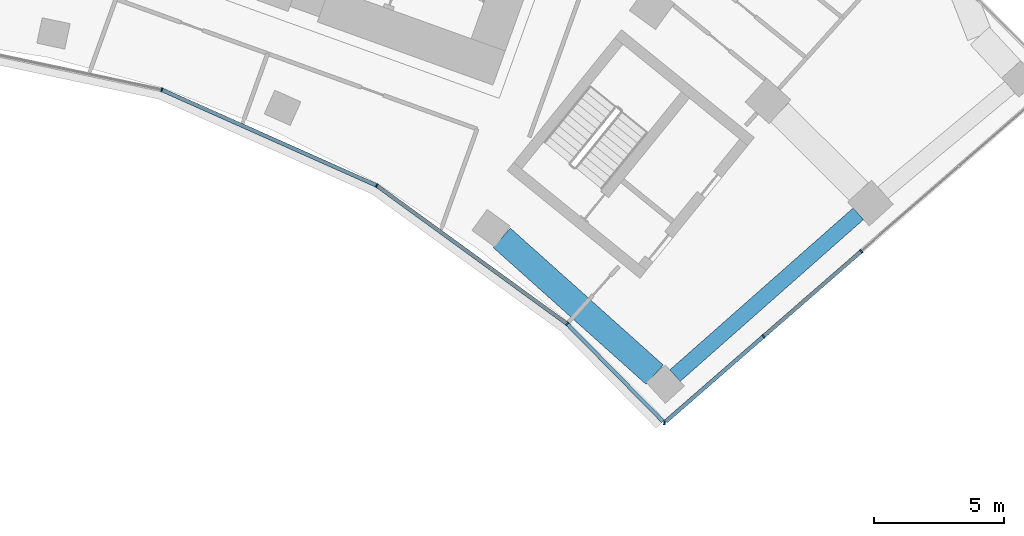
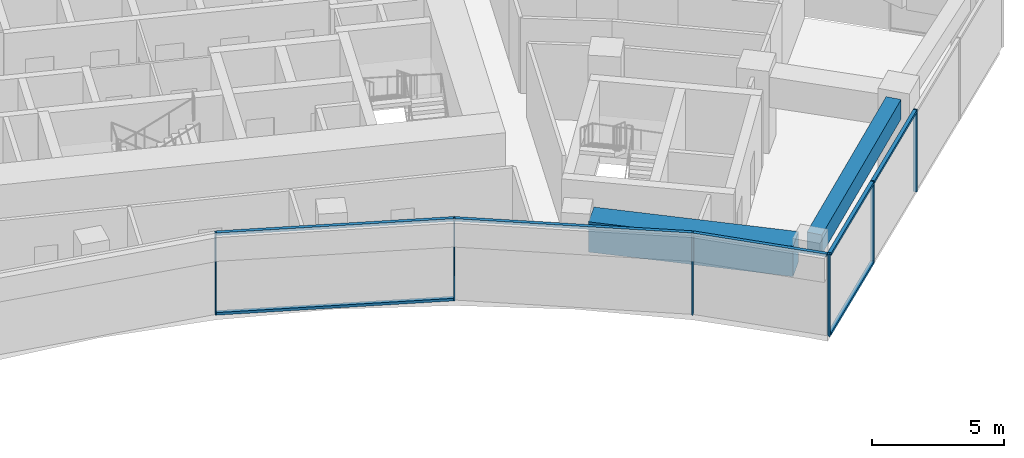
# One storey, part 9 of 23: 13 members, 2 beams, 2 elements without a shape of their own.
"""IFC4 building model written with IfcOpenShell, lengths in metres."""

import ifcopenshell
import ifcopenshell.guid

model = None  # the IFC model being written
_history = None  # IfcOwnerHistory: only IFC2X3 demands one
_inside = {}  # id of a spatial element -> (the spatial element, [elements in it])
_under = {}  # id of a project, library or spatial element -> (it, [spatial elements below it])
_declared = {}  # id of a project -> (the project, [libraries it declares])
_typed = {}  # id of a type object -> (the type object, [elements of that type])
_made_of = {}  # id of a material, layer set ... -> (it, [elements and type objects made of it])


def new_model(schema):
    """Start an empty IFC model of exactly this schema.

    Asked for "IFC4X3", IfcOpenShell would pick the latest addendum, in which some entities
    have other attributes; the version numbers below select the first issue.
    IFC2X3 requires an IfcOwnerHistory on every rooted entity: one is made here for all.
    """
    global model, _history
    if schema == "IFC4X3":
        model = ifcopenshell.file(schema_version=(4, 3, 0, 0))
    else:
        model = ifcopenshell.file(schema=schema)
    _inside.clear()
    _under.clear()
    _declared.clear()
    _typed.clear()
    _made_of.clear()
    _history = None
    if model.schema == "IFC2X3":
        org = make("IfcOrganization", Name="unknown")
        user = make(
            "IfcPersonAndOrganization",
            ThePerson=make("IfcPerson", FamilyName="unknown"),
            TheOrganization=org,
        )
        app = make(
            "IfcApplication",
            ApplicationDeveloper=org,
            Version="unknown",
            ApplicationFullName="unknown",
            ApplicationIdentifier="unknown",
        )
        _history = make(
            "IfcOwnerHistory",
            OwningUser=user,
            OwningApplication=app,
            ChangeAction="ADDED",
            CreationDate=0,
        )
    return model


def make(cls, **values):
    """One entity of the class cls with the attributes given. An attribute that is None is left unset."""
    return model.create_entity(
        cls, **{name: value for name, value in values.items() if value is not None}
    )


def rooted(cls, **values):
    """An entity with a GlobalId (a new one), such as an element, a storey or a relation."""
    return make(cls, GlobalId=ifcopenshell.guid.new(), OwnerHistory=_history, **values)


def si_unit(unit_type, name, prefix=None):
    """IfcSIUnit, for example si_unit("LENGTHUNIT", "METRE", prefix="MILLI")."""
    return make("IfcSIUnit", UnitType=unit_type, Prefix=prefix, Name=name)


def assignment(units):
    """IfcUnitAssignment: the units of a project."""
    return None if units is None else make("IfcUnitAssignment", Units=units)


def point(xyz):
    """IfcCartesianPoint."""
    return None if xyz is None else make("IfcCartesianPoint", Coordinates=xyz)


def direction(xyz):
    """IfcDirection."""
    return None if xyz is None else make("IfcDirection", DirectionRatios=xyz)


def frame(location, z_axis=None, x_axis=None):
    """IfcAxis2Placement3D, a coordinate frame: its origin and axes. An axis left out is left unset."""
    return make(
        "IfcAxis2Placement3D",
        Location=point(location),
        Axis=direction(z_axis),
        RefDirection=direction(x_axis),
    )


def frame_2d(location, x_axis=None):
    """IfcAxis2Placement2D, a coordinate frame in the plane: its origin and x axis."""
    return make(
        "IfcAxis2Placement2D", Location=point(location), RefDirection=direction(x_axis)
    )


def origin():
    """The frame at (0, 0, 0) with its axes left unset."""
    return frame((0.0, 0.0, 0.0))


def origin_2d():
    """The frame at (0, 0) in the plane with its x axis left unset."""
    return frame_2d((0.0, 0.0))


def place(relative_to, where):
    """IfcLocalPlacement: puts the frame where relative to a parent placement (None: the world)."""
    return make(
        "IfcLocalPlacement", PlacementRelTo=relative_to, RelativePlacement=where
    )


def context(
    kind, dimensions, precision=None, world=None, true_north=None, identifier=None
):
    """IfcGeometricRepresentationContext, for example the 3D "Model" context."""
    return make(
        "IfcGeometricRepresentationContext",
        ContextIdentifier=identifier,
        ContextType=kind,
        CoordinateSpaceDimension=dimensions,
        Precision=precision,
        WorldCoordinateSystem=world,
        TrueNorth=true_north,
    )


def subcontext(parent, identifier, kind, view, scale=None):
    """IfcGeometricRepresentationSubContext, for example "Body" below "Model"."""
    return make(
        "IfcGeometricRepresentationSubContext",
        ContextIdentifier=identifier,
        ContextType=kind,
        ParentContext=parent,
        TargetScale=scale,
        TargetView=view,
    )


def project(units=None, contexts=None):
    """IfcProject with its units and contexts."""
    return rooted(
        "IfcProject",
        Name="project",
        RepresentationContexts=contexts,
        UnitsInContext=assignment(units),
    )


def spatial(cls, under=None, at=None, **own):
    """A site, building, storey or space (cls), placed at a placement, below another one or the project."""
    s = rooted(cls, ObjectPlacement=at, **own)
    if under is not None:
        _under.setdefault(under.id(), (under, []))[1].append(s)
    return s


def profile(cls, at=None, kind="AREA", **sizes):
    """A parametric profile (cls). Its sizes go by their IFC names, for example OverallWidth=200.0."""
    return make(cls, ProfileType=kind, Position=at, **sizes)


def rectangle(**sizes):
    """IfcRectangleProfileDef."""
    return profile("IfcRectangleProfileDef", **sizes)


def extrude(swept, where, along, depth):
    """IfcExtrudedAreaSolid: the profile swept, set in the frame where, extruded along a direction by depth."""
    return make(
        "IfcExtrudedAreaSolid",
        SweptArea=swept,
        Position=where,
        ExtrudedDirection=direction(along),
        Depth=depth,
    )


def shape(context_of_items, identifier, shape_type, items):
    """IfcShapeRepresentation: the items that make up one representation, for example the "Body"."""
    return make(
        "IfcShapeRepresentation",
        ContextOfItems=context_of_items,
        RepresentationIdentifier=identifier,
        RepresentationType=shape_type,
        Items=items,
    )


def material(Name=None, Category=None):
    """IfcMaterial."""
    return make("IfcMaterial", Name=Name, Category=Category)


def layer(
    of_material, thickness, ventilated=None, Name=None, Category=None, Priority=None
):
    """IfcMaterialLayer: one layer of a wall or slab, of a material (None: an air gap)."""
    return make(
        "IfcMaterialLayer",
        Material=of_material,
        LayerThickness=thickness,
        IsVentilated=ventilated,
        Name=Name,
        Category=Category,
        Priority=Priority,
    )


def layer_set(layers, Name=None):
    """IfcMaterialLayerSet."""
    return make("IfcMaterialLayerSet", MaterialLayers=layers, LayerSetName=Name)


def material_profile(
    of_material, cross_section, Name=None, Category=None, Priority=None
):
    """IfcMaterialProfile: a cross section and its material."""
    return make(
        "IfcMaterialProfile",
        Name=Name,
        Material=of_material,
        Profile=cross_section,
        Priority=Priority,
        Category=Category,
    )


def profile_set(profiles, Name=None, composite=None):
    """IfcMaterialProfileSet."""
    return make(
        "IfcMaterialProfileSet",
        Name=Name,
        MaterialProfiles=profiles,
        CompositeProfile=composite,
    )


def made_of(thing, what):
    """Note that an element or type object is made of a material, layer set ...; save() writes the relation."""
    if what is not None:
        _made_of.setdefault(what.id(), (what, []))[1].append(thing)
    return thing


def type_object(cls, material=None, **own):
    """A type object (cls), such as IfcWallType, which elements share."""
    return made_of(rooted(cls, **own), material)


def element(
    cls,
    number,
    at=None,
    inside=None,
    cuts=None,
    type_object=None,
    material=None,
    context=None,
    identifier="Body",
    shape_type=None,
    held_by="IfcProductDefinitionShape",
    body=None,
    shapes=None,
    **own,
):
    """One element of the class cls, such as IfcWall. Its Tag is "e" and its number.

    at: its placement. inside: the storey or other place that contains it. cuts: it is an
    opening in that element (IfcRelVoidsElement). A single representation is given by context,
    identifier, shape_type and body (its items); several are given by shapes. held_by: the class
    of the entity that holds the representations. save() writes the other relations.
    """
    e = rooted(cls, Tag="e%d" % number, ObjectPlacement=at, **own)
    if body is not None:
        shapes = [shape(context, identifier, shape_type, body)]
    if shapes is not None:
        e.Representation = make(held_by, Representations=shapes)
    if inside is not None:
        _inside.setdefault(inside.id(), (inside, []))[1].append(e)
    if cuts is not None:
        rooted(
            "IfcRelVoidsElement", RelatingBuildingElement=cuts, RelatedOpeningElement=e
        )
    if type_object is not None:
        _typed.setdefault(type_object.id(), (type_object, []))[1].append(e)
    return made_of(e, material)


def aggregate(whole, parts):
    """IfcRelAggregates: a whole, such as a stair, and the parts it consists of."""
    return rooted("IfcRelAggregates", RelatingObject=whole, RelatedObjects=parts)


def save(model, path):
    """Write the relations noted so far, then the file.

    IfcRelAggregates (storeys below a building ...), IfcRelContainedInSpatialStructure (elements
    in a storey), IfcRelDefinesByType, IfcRelAssociatesMaterial and IfcRelDeclares: one each for
    every whole, place, type object, material and project.
    """
    for whole, parts in _under.values():
        aggregate(whole, parts)
    for where, things in _inside.values():
        rooted(
            "IfcRelContainedInSpatialStructure",
            RelatedElements=things,
            RelatingStructure=where,
        )
    for kind, things in _typed.values():
        rooted("IfcRelDefinesByType", RelatedObjects=things, RelatingType=kind)
    for what, things in _made_of.values():
        rooted("IfcRelAssociatesMaterial", RelatedObjects=things, RelatingMaterial=what)
    for by, libraries in _declared.values():
        rooted("IfcRelDeclares", RelatingContext=by, RelatedDefinitions=libraries)
    model.write(path)


model = new_model("IFC4")

# Units and contexts
model_context = context("Model", 3, precision=1e-05, world=origin(), true_north=direction((0.0, 1.0)))
body_context = subcontext(model_context, "Body", "Model", "MODEL_VIEW")
ifc_project = project(units=[si_unit("LENGTHUNIT", "METRE"), si_unit("AREAUNIT", "SQUARE_METRE"), si_unit("VOLUMEUNIT", "CUBIC_METRE"), si_unit("PLANEANGLEUNIT", "RADIAN"), si_unit("MASSUNIT", "GRAM", prefix="KILO")], contexts=[model_context])

# Site, building, storey
site_placement = place(None, origin())
site = spatial("IfcSite", under=ifc_project, at=site_placement, CompositionType="ELEMENT")
building_placement = place(site_placement, origin())
building = spatial("IfcBuilding", under=site, at=building_placement, Name="Stone Belt Terrace Tower", CompositionType="ELEMENT")
storey_placement = place(building_placement, frame((0.0, 0.0, 178.199951171875)))
storey = spatial("IfcBuildingStorey", under=building, at=storey_placement, Name="L43", CompositionType="ELEMENT", Elevation=178.199951171875)

# Curtain wall, members
ifc_material_1 = material(Name="Aluminium 6063-T6 anodised frame", Category="aluminium")
ifc_layer_1 = layer(ifc_material_1, 0.14990234375)
ifc_layer_set_1 = layer_set([ifc_layer_1], Name="CW-B unitised concave-face curtain wall")
curtain_wall_type_1 = type_object("IfcCurtainWallType", Name="CW-B unitised concave-face curtain wall", PredefinedType="NOTDEFINED", material=ifc_layer_set_1)
curtain_wall_1_placement = place(storey_placement, origin())
curtain_wall_1 = element("IfcCurtainWall", 1, at=curtain_wall_1_placement, inside=storey, type_object=curtain_wall_type_1, Name="CW-B concave face L43", PredefinedType="NOTDEFINED")
ifc_material_profile_1 = material_profile(ifc_material_1, rectangle(XDim=0.14990234375, YDim=0.050048828125, at=origin_2d()), Name="Aluminium 6063-T6 50x150")
ifc_profile_set_1 = profile_set([ifc_material_profile_1], Name="Aluminium 6063-T6 anodised frame")
member_type_1 = type_object("IfcMemberType", Name="CW-B mullion 50 x 150", PredefinedType="MULLION", material=ifc_profile_set_1)
member_1_placement = place(storey_placement, frame((13.4189453125, 41.29931640625, 0.0), z_axis=(0.0, 0.0, 1.0), x_axis=(0.309016994375, 0.951056516295, 0.0)))
member_1 = element("IfcMember", 2, at=member_1_placement, type_object=member_type_1, Name="CW-B mullion 7", PredefinedType="MULLION", context=body_context, shape_type="SweptSolid", body=[
    extrude(rectangle(XDim=0.14990234375, YDim=0.050048828125, at=origin_2d()), origin(), (0.0, 0.0, 1.0), 3.800048828125),
])
member_2_placement = place(storey_placement, frame((21.71240234375, 37.606689453125, 0.0), z_axis=(0.0, 0.0, 1.0), x_axis=(0.5, 0.866025403784, 0.0)))
member_2 = element("IfcMember", 3, at=member_2_placement, type_object=member_type_1, Name="CW-B mullion 8", PredefinedType="MULLION", context=body_context, shape_type="SweptSolid", body=[
    extrude(rectangle(XDim=0.14990234375, YDim=0.050048828125, at=origin_2d()), origin(), (0.0, 0.0, 1.0), 3.800048828125),
])
member_3_placement = place(storey_placement, frame((29.05810546875, 32.269775390625, 0.0), z_axis=(0.0, 0.0, 1.0), x_axis=(0.652633631779, 0.757673638627, 0.0)))
member_3 = element("IfcMember", 4, at=member_3_placement, type_object=member_type_1, Name="CW-B mullion 9", PredefinedType="MULLION", context=body_context, shape_type="SweptSolid", body=[
    extrude(rectangle(XDim=0.14990234375, YDim=0.050048828125, at=origin_2d()), origin(), (0.0, 0.0, 1.0), 3.800048828125),
])
ifc_material_profile_2 = material_profile(ifc_material_1, rectangle(XDim=0.14990234375, YDim=0.1201171875, at=origin_2d()), Name="Aluminium 6063-T6 150x120")
ifc_profile_set_2 = profile_set([ifc_material_profile_2], Name="Aluminium 6063-T6 anodised frame")
member_type_2 = type_object("IfcMemberType", Name="CW-B transom 120 x 150", PredefinedType="USERDEFINED", material=ifc_profile_set_2)
member_4_placement = place(storey_placement, frame((13.44873046875, 41.285888671875, 0.06005859375), z_axis=(0.913548853737, -0.406729015237, 0.0), x_axis=(0.406729015237, 0.913548853737, 0.0)))
member_4 = element("IfcMember", 5, at=member_4_placement, type_object=member_type_2, Name="CW-B transom 7.1", ObjectType="TRANSOM", PredefinedType="USERDEFINED", context=body_context, shape_type="SweptSolid", body=[
    extrude(rectangle(XDim=0.14990234375, YDim=0.1201171875, at=origin_2d()), origin(), (0.0, 0.0, 1.0), 9.0126953125),
])
member_5_placement = place(storey_placement, frame((13.44873046875, 41.285888671875, 3.739990234375), z_axis=(0.913548853737, -0.406729015237, 0.0), x_axis=(0.406729015237, 0.913548853737, 0.0)))
member_5 = element("IfcMember", 6, at=member_5_placement, type_object=member_type_2, Name="CW-B transom 7.2", ObjectType="TRANSOM", PredefinedType="USERDEFINED", context=body_context, shape_type="SweptSolid", body=[
    extrude(rectangle(XDim=0.14990234375, YDim=0.1201171875, at=origin_2d()), origin(), (0.0, 0.0, 1.0), 9.0126953125),
])
member_6_placement = place(storey_placement, frame((21.73876953125, 37.587646484375, 3.739990234375), z_axis=(0.809015849775, -0.587786827696, 0.0), x_axis=(0.587786827696, 0.809015849775, 0.0)))
member_6 = element("IfcMember", 7, at=member_6_placement, type_object=member_type_2, Name="CW-B transom 8.1", ObjectType="TRANSOM", PredefinedType="USERDEFINED", context=body_context, shape_type="SweptSolid", body=[
    extrude(rectangle(XDim=0.14990234375, YDim=0.1201171875, at=origin_2d()), origin(), (0.0, 0.0, 1.0), 9.01611328125),
])
member_7_placement = place(storey_placement, frame((29.079833984375, 32.24755859375, 3.739990234375), z_axis=(0.701148232863, -0.713015536685, 0.0), x_axis=(0.713015536685, 0.701148232863, 0.0)))
member_7 = element("IfcMember", 8, at=member_7_placement, type_object=member_type_2, Name="CW-B transom 9.1", ObjectType="TRANSOM", PredefinedType="USERDEFINED", context=body_context, shape_type="SweptSolid", body=[
    extrude(rectangle(XDim=0.14990234375, YDim=0.1201171875, at=origin_2d()), origin(), (0.0, 0.0, 1.0), 5.24609375),
])
aggregate(curtain_wall_1, [member_1, member_2, member_3, member_4, member_5, member_6, member_7])

ifc_layer_2 = layer(ifc_material_1, 0.14990234375)
ifc_layer_set_2 = layer_set([ifc_layer_2], Name="CW-C stick curtain wall, horn ends and notches")
curtain_wall_type_2 = type_object("IfcCurtainWallType", Name="CW-C stick curtain wall, horn ends and notches", PredefinedType="NOTDEFINED", material=ifc_layer_set_2)
curtain_wall_2_placement = place(storey_placement, origin())
curtain_wall_2 = element("IfcCurtainWall", 9, at=curtain_wall_2_placement, inside=storey, type_object=curtain_wall_type_2, Name="CW-C end face L43", PredefinedType="NOTDEFINED")
ifc_material_profile_3 = material_profile(ifc_material_1, rectangle(XDim=0.14990234375, YDim=0.06005859375, at=origin_2d()), Name="Aluminium 6063-T6 60x150")
ifc_profile_set_3 = profile_set([ifc_material_profile_3], Name="Aluminium 6063-T6 anodised frame")
member_type_3 = type_object("IfcMemberType", Name="CW-C mullion 60 x 150", PredefinedType="MULLION", material=ifc_profile_set_3)
member_8_placement = place(storey_placement, frame((32.806884765625, 28.45751953125, 0.0), z_axis=(0.0, 0.0, 1.0), x_axis=(0.038760786717, 0.999248518344, 0.0)))
member_8 = element("IfcMember", 10, at=member_8_placement, type_object=member_type_3, Name="CW-C mullion 1", PredefinedType="MULLION", context=body_context, shape_type="SweptSolid", body=[
    extrude(rectangle(XDim=0.14990234375, YDim=0.06005859375, at=origin_2d()), origin(), (0.0, 0.0, 1.0), 3.800048828125),
])
member_9_placement = place(storey_placement, frame((36.63134765625, 31.78662109375, 0.0), z_axis=(0.0, 0.0, 1.0), x_axis=(-0.65656142871, 0.754272557058, 0.0)))
member_9 = element("IfcMember", 11, at=member_9_placement, type_object=member_type_3, Name="CW-C mullion 2", PredefinedType="MULLION", context=body_context, shape_type="SweptSolid", body=[
    extrude(rectangle(XDim=0.14990234375, YDim=0.06005859375, at=origin_2d()), origin(), (0.0, 0.0, 1.0), 3.800048828125),
])
member_10_placement = place(storey_placement, frame((40.40283203125, 35.069580078125, 0.0), z_axis=(0.0, 0.0, 1.0), x_axis=(-0.65656142871, 0.754272557058, 0.0)))
member_10 = element("IfcMember", 12, at=member_10_placement, type_object=member_type_3, Name="CW-C mullion 3", PredefinedType="MULLION", context=body_context, shape_type="SweptSolid", body=[
    extrude(rectangle(XDim=0.14990234375, YDim=0.06005859375, at=origin_2d()), origin(), (0.0, 0.0, 1.0), 3.800048828125),
])
ifc_material_profile_4 = material_profile(ifc_material_1, rectangle(XDim=0.14990234375, YDim=0.1201171875, at=origin_2d()), Name="Aluminium 6063-T6 150x120")
ifc_profile_set_4 = profile_set([ifc_material_profile_4], Name="Aluminium 6063-T6 anodised frame")
member_type_4 = type_object("IfcMemberType", Name="CW-C transom 120 x 150", PredefinedType="USERDEFINED", material=ifc_profile_set_4)
member_11_placement = place(storey_placement, frame((32.862060546875, 28.505615234375, 0.06005859375), z_axis=(0.75429435243, 0.656536388856, 0.0), x_axis=(-0.656536388856, 0.75429435243, 0.0)))
member_11 = element("IfcMember", 13, at=member_11_placement, type_object=member_type_4, Name="CW-C transom 1.1", ObjectType="TRANSOM", PredefinedType="USERDEFINED", context=body_context, shape_type="SweptSolid", body=[
    extrude(rectangle(XDim=0.14990234375, YDim=0.1201171875, at=origin_2d()), origin(), (0.0, 0.0, 1.0), 4.96728515625),
])
member_12_placement = place(storey_placement, frame((32.862060546875, 28.505615234375, 3.739990234375), z_axis=(0.75429435243, 0.656536388856, 0.0), x_axis=(-0.656536388856, 0.75429435243, 0.0)))
member_12 = element("IfcMember", 14, at=member_12_placement, type_object=member_type_4, Name="CW-C transom 1.2", ObjectType="TRANSOM", PredefinedType="USERDEFINED", context=body_context, shape_type="SweptSolid", body=[
    extrude(rectangle(XDim=0.14990234375, YDim=0.1201171875, at=origin_2d()), origin(), (0.0, 0.0, 1.0), 4.96728515625),
])
member_13_placement = place(storey_placement, frame((36.654052734375, 31.806396484375, 3.739990234375), z_axis=(0.754270272843, 0.656564052858, 0.0), x_axis=(-0.656564052858, 0.754270272843, 0.0)))
member_13 = element("IfcMember", 15, at=member_13_placement, type_object=member_type_4, Name="CW-C transom 2.1", ObjectType="TRANSOM", PredefinedType="USERDEFINED", context=body_context, shape_type="SweptSolid", body=[
    extrude(rectangle(XDim=0.14990234375, YDim=0.1201171875, at=origin_2d()), origin(), (0.0, 0.0, 1.0), 4.93994140625),
])
aggregate(curtain_wall_2, [member_8, member_9, member_10, member_11, member_12, member_13])

# Beams
ifc_material_2 = material(Name="Concrete B60", Category="concrete")
ifc_material_profile_5 = material_profile(ifc_material_2, rectangle(XDim=0.60009765625, YDim=0.89990234375, at=origin_2d()), Name="RC 600x900")
ifc_profile_set_5 = profile_set([ifc_material_profile_5], Name="Concrete B60")
beam_type_1 = type_object("IfcBeamType", Name="Edge beam RC 600x900 B60", PredefinedType="SPANDREL", material=ifc_profile_set_5)
beam_1_placement = place(storey_placement, frame((33.219970703125, 30.2734375, 3.030029296875), z_axis=(0.749586233155, 0.661906699667, 0.0), x_axis=(-0.661906699667, 0.749586233155, 0.0)))
element("IfcBeam", 16, at=beam_1_placement, inside=storey, type_object=beam_type_1, Name="Edge beam L43 B P to Q", PredefinedType="SPANDREL", context=body_context, shape_type="SweptSolid", body=[
    extrude(rectangle(XDim=0.60009765625, YDim=0.89990234375, at=origin_2d()), origin(), (0.0, 0.0, 1.0), 9.430908203125),
])
ifc_material_3 = material(Name="Concrete B80", Category="concrete")
ifc_material_profile_6 = material_profile(ifc_material_3, rectangle(XDim=1.0, YDim=1.39990234375, at=origin_2d()), Name="RC 1000x1400")
ifc_profile_set_6 = profile_set([ifc_material_profile_6], Name="Concrete B80")
beam_type_2 = type_object("IfcBeamType", Name="Transfer beam RC 1000x1400 B80", PredefinedType="BEAM", material=ifc_profile_set_6)
beam_2_placement = place(storey_placement, frame((26.5361328125, 35.588134765625, 2.780029296875), z_axis=(0.745187249746, -0.666855278764, 0.0), x_axis=(0.666855278764, 0.745187249746, 0.0)))
element("IfcBeam", 17, at=beam_2_placement, inside=storey, type_object=beam_type_2, Name="Transfer beam L43 PP28-PB", PredefinedType="BEAM", context=body_context, shape_type="SweptSolid", body=[
    extrude(rectangle(XDim=1.0, YDim=1.39990234375, at=origin_2d()), origin(), (0.0, 0.0, 1.0), 7.913330078125),
])

save(model, "model.ifc")
